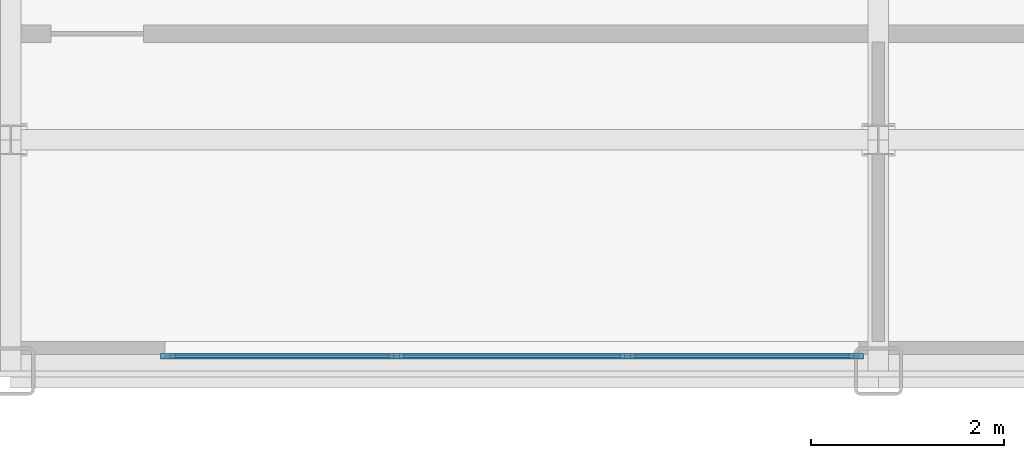
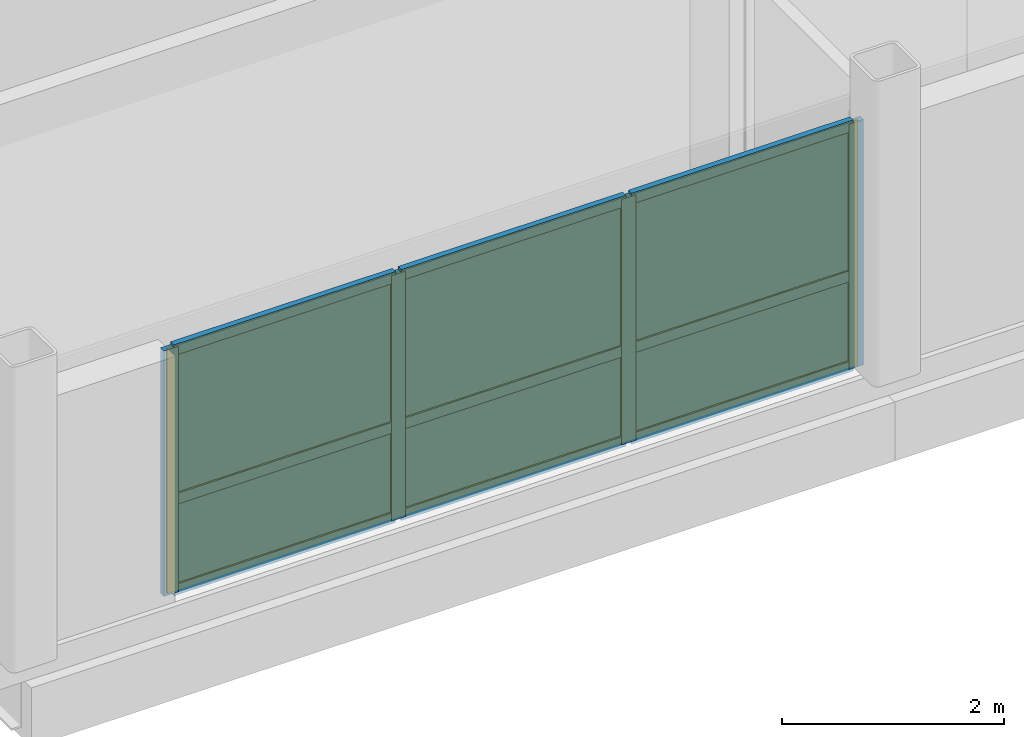
# One storey, part 10 of 15: 13 members, 6 plates, 1 curtain wall.
"""IFC4 building model written with IfcOpenShell, lengths in metres."""

from ifc_helpers import new_model, si_unit, direction, frame, frame_2d, origin, origin_2d, place, context, subcontext, project, spatial, rectangle, extrude, source, transform, mapped, material, layer, layer_set, material_profile, profile_set, type_object, type_shapes, element, aggregate, save


model = new_model("IFC4")

# Units and contexts
model_context = context("Model", 3, precision=1e-05, world=origin(), true_north=direction((0.0, 1.0)))
body_context = subcontext(model_context, "Body", "Model", "MODEL_VIEW")
ifc_project = project(units=[si_unit("LENGTHUNIT", "METRE"), si_unit("AREAUNIT", "SQUARE_METRE"), si_unit("VOLUMEUNIT", "CUBIC_METRE"), si_unit("PLANEANGLEUNIT", "RADIAN"), si_unit("MASSUNIT", "GRAM", prefix="KILO")], contexts=[model_context])

# Member
ifc_material_1 = material(Name="Anodised aluminium 6063-T6", Category="aluminium")
ifc_material_profile_1 = material_profile(ifc_material_1, rectangle(XDim=0.06005859375, YDim=0.14990234375, at=origin_2d()), Name="ALU-MULL-60x150")
ifc_profile_set_1 = profile_set([ifc_material_profile_1], Name="Anodised aluminium 6063-T6")
member_type_1 = type_object("IfcMemberType", Name="CWM-4", PredefinedType="MULLION", material=ifc_profile_set_1)
site_placement = place(None, origin())
building_placement = place(site_placement, origin())
storey_placement = place(building_placement, frame((0.0, 0.0, 223.75)))
member_1_placement = place(storey_placement, frame((-7.3701171875, -19.2451171875, 0.0), z_axis=(0.0, 0.0, 1.0), x_axis=(0.0, 1.0, 0.0)))
member_1 = element("IfcMember", 1, at=member_1_placement, type_object=member_type_1, Name="CWS-4 mullion 1", PredefinedType="MULLION", context=body_context, shape_type="SweptSolid", body=[
    extrude(rectangle(XDim=0.06005859375, YDim=0.14990234375, at=origin_2d()), origin(), (0.0, 0.0, 1.0), 2.705078125),
])

member_2_placement = place(storey_placement, frame((-5.0, -19.2451171875, 0.0), z_axis=(0.0, 0.0, 1.0), x_axis=(0.0, 1.0, 0.0)))
member_2 = element("IfcMember", 2, at=member_2_placement, type_object=member_type_1, Name="CWS-4 mullion 2", PredefinedType="MULLION", context=body_context, shape_type="SweptSolid", body=[
    extrude(rectangle(XDim=0.06005859375, YDim=0.14990234375, at=origin_2d()), origin(), (0.0, 0.0, 1.0), 2.705078125),
])

member_3_placement = place(storey_placement, frame((-2.60009765625, -19.2451171875, 0.0), z_axis=(0.0, 0.0, 1.0), x_axis=(0.0, 1.0, 0.0)))
member_3 = element("IfcMember", 3, at=member_3_placement, type_object=member_type_1, Name="CWS-4 mullion 3", PredefinedType="MULLION", context=body_context, shape_type="SweptSolid", body=[
    extrude(rectangle(XDim=0.06005859375, YDim=0.14990234375, at=origin_2d()), origin(), (0.0, 0.0, 1.0), 2.705078125),
])

member_4_placement = place(storey_placement, frame((-0.22998046875, -19.2451171875, 0.0), z_axis=(0.0, 0.0, 1.0), x_axis=(0.0, 1.0, 0.0)))
member_4 = element("IfcMember", 4, at=member_4_placement, type_object=member_type_1, Name="CWS-4 mullion 4", PredefinedType="MULLION", context=body_context, shape_type="SweptSolid", body=[
    extrude(rectangle(XDim=0.06005859375, YDim=0.14990234375, at=origin_2d()), origin(), (0.0, 0.0, 1.0), 2.705078125),
])

ifc_material_profile_2 = material_profile(ifc_material_1, rectangle(XDim=0.06005859375, YDim=0.1201171875, at=origin_2d()), Name="ALU-TRAN-60x120")
ifc_profile_set_2 = profile_set([ifc_material_profile_2], Name="Anodised aluminium 6063-T6")
member_type_2 = type_object("IfcMemberType", Name="CWT-4", PredefinedType="USERDEFINED", material=ifc_profile_set_2)
member_5_placement = place(storey_placement, frame((-7.340087890625, -19.2451171875, 0.030029296875), z_axis=(1.0, 0.0, 0.0), x_axis=(0.0, 1.0, 0.0)))
member_5 = element("IfcMember", 5, at=member_5_placement, type_object=member_type_2, Name="CWS-4 transom 1.1", ObjectType="TRANSOM", PredefinedType="USERDEFINED", context=body_context, shape_type="SweptSolid", body=[
    extrude(rectangle(XDim=0.06005859375, YDim=0.1201171875, at=origin_2d()), origin(), (0.0, 0.0, 1.0), 2.31005859375),
])

member_6_placement = place(storey_placement, frame((-7.340087890625, -19.2451171875, 1.02783203125), z_axis=(1.0, 0.0, 0.0), x_axis=(0.0, 1.0, 0.0)))
member_6 = element("IfcMember", 6, at=member_6_placement, type_object=member_type_2, Name="CWS-4 transom 1.2", ObjectType="TRANSOM", PredefinedType="USERDEFINED", context=body_context, shape_type="SweptSolid", body=[
    extrude(rectangle(XDim=0.06005859375, YDim=0.1201171875, at=origin_2d()), origin(), (0.0, 0.0, 1.0), 2.31005859375),
])

member_7_placement = place(storey_placement, frame((-7.340087890625, -19.2451171875, 2.675048828125), z_axis=(1.0, 0.0, 0.0), x_axis=(0.0, 1.0, 0.0)))
member_7 = element("IfcMember", 7, at=member_7_placement, type_object=member_type_2, Name="CWS-4 transom 1.3", ObjectType="TRANSOM", PredefinedType="USERDEFINED", context=body_context, shape_type="SweptSolid", body=[
    extrude(rectangle(XDim=0.06005859375, YDim=0.1201171875, at=origin_2d()), origin(), (0.0, 0.0, 1.0), 2.31005859375),
])

member_8_placement = place(storey_placement, frame((-4.969970703125, -19.2451171875, 0.030029296875), z_axis=(1.0, 0.0, 0.0), x_axis=(0.0, 1.0, 0.0)))
member_8 = element("IfcMember", 8, at=member_8_placement, type_object=member_type_2, Name="CWS-4 transom 2.1", ObjectType="TRANSOM", PredefinedType="USERDEFINED", context=body_context, shape_type="SweptSolid", body=[
    extrude(rectangle(XDim=0.06005859375, YDim=0.1201171875, at=origin_2d()), origin(), (0.0, 0.0, 1.0), 2.340087890625),
])

member_9_placement = place(storey_placement, frame((-4.969970703125, -19.2451171875, 1.02783203125), z_axis=(1.0, 0.0, 0.0), x_axis=(0.0, 1.0, 0.0)))
member_9 = element("IfcMember", 9, at=member_9_placement, type_object=member_type_2, Name="CWS-4 transom 2.2", ObjectType="TRANSOM", PredefinedType="USERDEFINED", context=body_context, shape_type="SweptSolid", body=[
    extrude(rectangle(XDim=0.06005859375, YDim=0.1201171875, at=origin_2d()), origin(), (0.0, 0.0, 1.0), 2.340087890625),
])

member_10_placement = place(storey_placement, frame((-4.969970703125, -19.2451171875, 2.675048828125), z_axis=(1.0, 0.0, 0.0), x_axis=(0.0, 1.0, 0.0)))
member_10 = element("IfcMember", 10, at=member_10_placement, type_object=member_type_2, Name="CWS-4 transom 2.3", ObjectType="TRANSOM", PredefinedType="USERDEFINED", context=body_context, shape_type="SweptSolid", body=[
    extrude(rectangle(XDim=0.06005859375, YDim=0.1201171875, at=origin_2d()), origin(), (0.0, 0.0, 1.0), 2.340087890625),
])

member_11_placement = place(storey_placement, frame((-2.570068359375, -19.2451171875, 0.030029296875), z_axis=(1.0, 0.0, 0.0), x_axis=(0.0, 1.0, 0.0)))
member_11 = element("IfcMember", 11, at=member_11_placement, type_object=member_type_2, Name="CWS-4 transom 3.1", ObjectType="TRANSOM", PredefinedType="USERDEFINED", context=body_context, shape_type="SweptSolid", body=[
    extrude(rectangle(XDim=0.06005859375, YDim=0.1201171875, at=origin_2d()), origin(), (0.0, 0.0, 1.0), 2.31005859375),
])

member_12_placement = place(storey_placement, frame((-2.570068359375, -19.2451171875, 1.02783203125), z_axis=(1.0, 0.0, 0.0), x_axis=(0.0, 1.0, 0.0)))
member_12 = element("IfcMember", 12, at=member_12_placement, type_object=member_type_2, Name="CWS-4 transom 3.2", ObjectType="TRANSOM", PredefinedType="USERDEFINED", context=body_context, shape_type="SweptSolid", body=[
    extrude(rectangle(XDim=0.06005859375, YDim=0.1201171875, at=origin_2d()), origin(), (0.0, 0.0, 1.0), 2.31005859375),
])

member_13_placement = place(storey_placement, frame((-2.570068359375, -19.2451171875, 2.675048828125), z_axis=(1.0, 0.0, 0.0), x_axis=(0.0, 1.0, 0.0)))
member_13 = element("IfcMember", 13, at=member_13_placement, type_object=member_type_2, Name="CWS-4 transom 3.3", ObjectType="TRANSOM", PredefinedType="USERDEFINED", context=body_context, shape_type="SweptSolid", body=[
    extrude(rectangle(XDim=0.06005859375, YDim=0.1201171875, at=origin_2d()), origin(), (0.0, 0.0, 1.0), 2.31005859375),
])

# Plate
ifc_material_2 = material(Name="Insulated solar-control glass", Category="glass")
ifc_layer_1 = layer(ifc_material_2, 0.02587890625, Name="CWP-4")
ifc_layer_set_1 = layer_set([ifc_layer_1], Name="Insulated solar-control glass")
plate_type = type_object("IfcPlateType", Name="CWP-4", PredefinedType="CURTAIN_PANEL", material=ifc_layer_set_1)
shared_shape_1 = source(origin(), body_context, "Body", "SweptSolid", [
    extrude(rectangle(XDim=2.31005859375, YDim=0.02587890625, at=origin_2d()), origin(), (0.0, 0.0, 1.0), 0.93798828125),
])
plate_1_placement = place(storey_placement, frame((-6.18505859375, -19.2451171875, 0.06005859375), z_axis=(0.0, 0.0, 1.0), x_axis=(1.0, 0.0, 0.0)))
plate_1 = element("IfcPlate", 14, at=plate_1_placement, type_object=plate_type, Name="CWS-4 panel 1.1", PredefinedType="CURTAIN_PANEL", context=body_context, shape_type="MappedRepresentation", body=[
    mapped(shared_shape_1, transform((0.0, 0.0, 0.0), scale=1.0)),
])

plate_2_placement = place(storey_placement, frame((-1.4150390625, -19.2451171875, 0.06005859375), z_axis=(0.0, 0.0, 1.0), x_axis=(1.0, 0.0, 0.0)))
plate_2 = element("IfcPlate", 15, at=plate_2_placement, type_object=plate_type, Name="CWS-4 panel 3.1", PredefinedType="CURTAIN_PANEL", context=body_context, shape_type="MappedRepresentation", body=[
    mapped(shared_shape_1, transform((0.0, 0.0, 0.0), scale=1.0)),
])

shared_shape_2 = source(origin(), body_context, "Body", "SweptSolid", [
    extrude(rectangle(XDim=2.31005859375, YDim=0.02587890625, at=origin_2d()), origin(), (0.0, 0.0, 1.0), 1.587158203125),
])
plate_3_placement = place(storey_placement, frame((-6.18505859375, -19.2451171875, 1.05810546875), z_axis=(0.0, 0.0, 1.0), x_axis=(1.0, 0.0, 0.0)))
plate_3 = element("IfcPlate", 16, at=plate_3_placement, type_object=plate_type, Name="CWS-4 panel 1.2", PredefinedType="CURTAIN_PANEL", context=body_context, shape_type="MappedRepresentation", body=[
    mapped(shared_shape_2, transform((0.0, 0.0, 0.0), scale=1.0)),
])

plate_4_placement = place(storey_placement, frame((-1.4150390625, -19.2451171875, 1.05810546875), z_axis=(0.0, 0.0, 1.0), x_axis=(1.0, 0.0, 0.0)))
plate_4 = element("IfcPlate", 17, at=plate_4_placement, type_object=plate_type, Name="CWS-4 panel 3.2", PredefinedType="CURTAIN_PANEL", context=body_context, shape_type="MappedRepresentation", body=[
    mapped(shared_shape_2, transform((0.0, 0.0, 0.0), scale=1.0)),
])

shared_shape_3 = source(origin(), body_context, "Body", "SweptSolid", [
    extrude(rectangle(XDim=2.340087890625, YDim=0.02587890625, at=origin_2d()), origin(), (0.0, 0.0, 1.0), 0.93798828125),
])
plate_5_placement = place(storey_placement, frame((-3.800048828125, -19.2451171875, 0.06005859375), z_axis=(0.0, 0.0, 1.0), x_axis=(1.0, 0.0, 0.0)))
plate_5 = element("IfcPlate", 18, at=plate_5_placement, type_object=plate_type, Name="CWS-4 panel 2.1", PredefinedType="CURTAIN_PANEL", context=body_context, shape_type="MappedRepresentation", body=[
    mapped(shared_shape_3, transform((0.0, 0.0, 0.0), scale=1.0)),
])

shared_shape_4 = source(origin(), body_context, "Body", "SweptSolid", [
    extrude(rectangle(XDim=2.340087890625, YDim=0.02587890625, at=origin_2d()), origin(), (0.0, 0.0, 1.0), 1.587158203125),
])
type_shapes(plate_type, [shared_shape_1, shared_shape_2, shared_shape_3, shared_shape_4])
plate_6_placement = place(storey_placement, frame((-3.800048828125, -19.2451171875, 1.05810546875), z_axis=(0.0, 0.0, 1.0), x_axis=(1.0, 0.0, 0.0)))
plate_6 = element("IfcPlate", 19, at=plate_6_placement, type_object=plate_type, Name="CWS-4 panel 2.2", PredefinedType="CURTAIN_PANEL", context=body_context, shape_type="MappedRepresentation", body=[
    mapped(shared_shape_4, transform((0.0, 0.0, 0.0), scale=1.0)),
])

# Site, building, storey
site = spatial("IfcSite", under=ifc_project, at=site_placement, CompositionType="ELEMENT")
building = spatial("IfcBuilding", under=site, at=building_placement, Name="Nuvemarco Arch Tower", CompositionType="ELEMENT")
storey = spatial("IfcBuildingStorey", under=building, at=storey_placement, Name="L59", CompositionType="ELEMENT", Elevation=223.75)

# Curtain wall
ifc_layer_2 = layer(ifc_material_2, 0.14990234375, Name="CW-SYS-4")
ifc_layer_set_2 = layer_set([ifc_layer_2], Name="Insulated solar-control glass")
curtain_wall_type = type_object("IfcCurtainWallType", Name="CW-SYS-4", PredefinedType="NOTDEFINED", material=ifc_layer_set_2)
curtain_wall_placement = place(storey_placement, frame((-7.39990234375, -19.2451171875, 0.0), z_axis=(0.0, 0.0, 1.0), x_axis=(1.0, 0.0, 0.0)))
curtain_wall = element("IfcCurtainWall", 20, at=curtain_wall_placement, inside=storey, type_object=curtain_wall_type, Name="L59 curtain wall CWS-4", PredefinedType="NOTDEFINED", context=body_context, shape_type="SweptSolid", body=[
    extrude(rectangle(XDim=7.199951171875, YDim=0.02001953125, at=frame_2d((3.60009765625, 0.0))), origin(), (0.0, 0.0, 1.0), 2.705078125),
])

aggregate(curtain_wall, [member_1, member_2, member_3, member_4, member_5, member_6, member_7, plate_1, plate_3, member_8, member_9, member_10, plate_5, plate_6, member_11, member_12, member_13, plate_2, plate_4])

save(model, "model.ifc")
